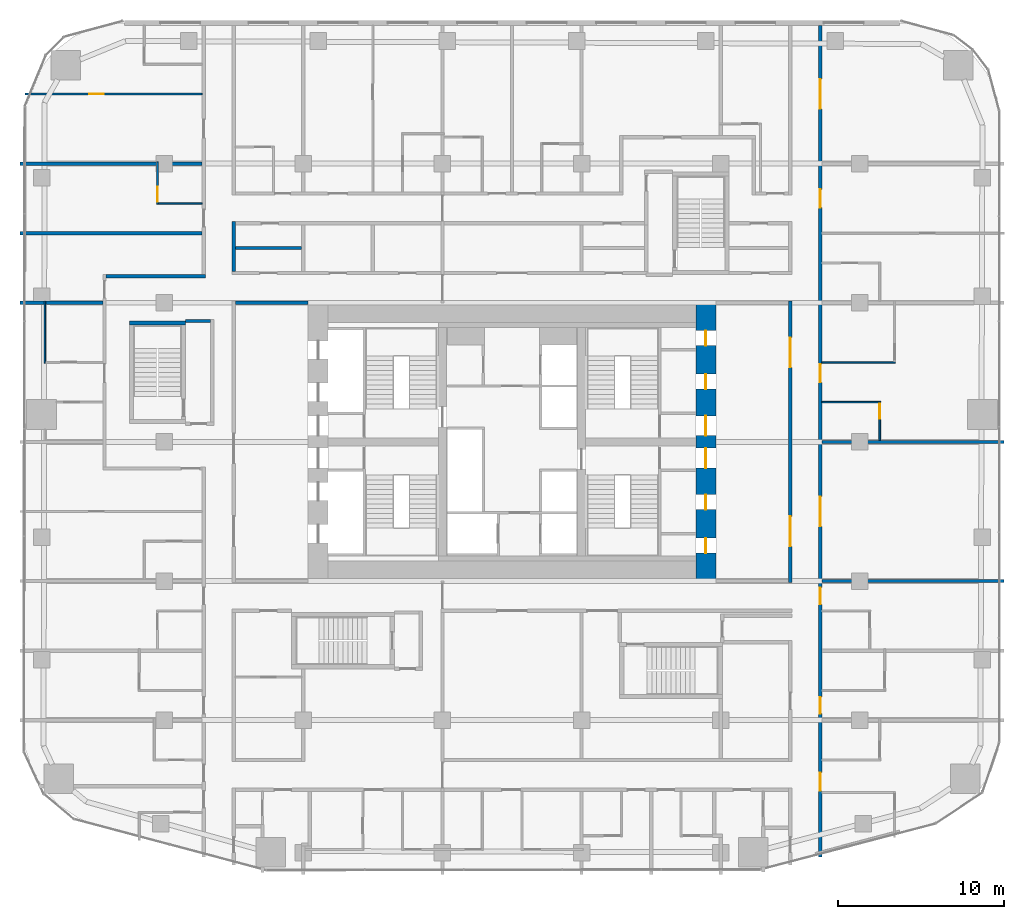
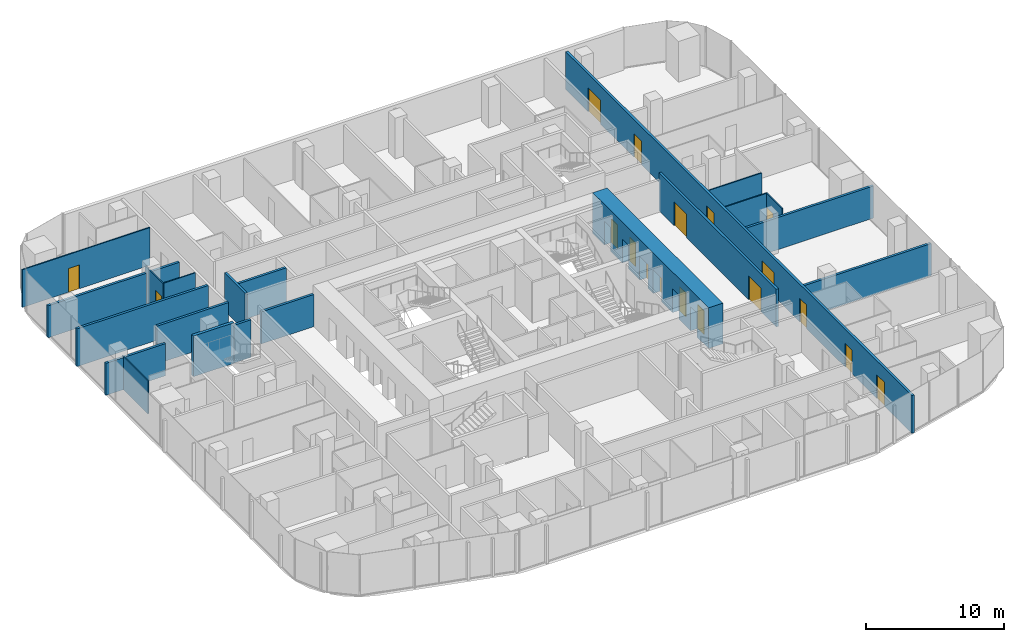
# One storey, part 20 of 26: 21 walls, 18 doors, 18 openings.
"""IFC4 building model written with IfcOpenShell, lengths in metres."""

from ifc_helpers import new_model, si_unit, direction, frame, frame_2d, origin, place, context, subcontext, project, spatial, rectangle, extrude, material, layer, layer_set, type_object, element, fill, save


model = new_model("IFC4")

# Units and contexts
model_context = context("Model", 3, precision=1e-05, world=origin(), true_north=direction((0.0, 1.0)))
body_context = subcontext(model_context, "Body", "Model", "MODEL_VIEW")
ifc_project = project(units=[si_unit("LENGTHUNIT", "METRE"), si_unit("AREAUNIT", "SQUARE_METRE"), si_unit("VOLUMEUNIT", "CUBIC_METRE"), si_unit("PLANEANGLEUNIT", "RADIAN"), si_unit("MASSUNIT", "GRAM", prefix="KILO")], contexts=[model_context])

# Site, building, storey
site_placement = place(None, origin())
site = spatial("IfcSite", under=ifc_project, at=site_placement, CompositionType="ELEMENT")
building_placement = place(site_placement, origin())
building = spatial("IfcBuilding", under=site, at=building_placement, Name="Marenta Gate Hotel Tower", CompositionType="ELEMENT")
storey_placement = place(building_placement, frame((0.0, 0.0, 72.5)))
storey = spatial("IfcBuildingStorey", under=building, at=storey_placement, Name="L16", CompositionType="ELEMENT", Elevation=72.5)

# Wall
ifc_material_1 = material(Name="Concrete blockwork", Category="masonry")
ifc_layer_1 = layer(ifc_material_1, 0.199951171875)
ifc_layer_set_1 = layer_set([ifc_layer_1], Name="Concrete blockwork")
wall_type_1 = type_object("IfcWallType", Name="Core boundary wall 200 REI 180", PredefinedType="PARTITIONING", material=ifc_layer_set_1)
wall_1_placement = place(storey_placement, frame((-16.699951171875, 16.800048828125, 0.0), z_axis=(0.0, 0.0, 1.0), x_axis=(1.0, 0.0, 0.0)))
element("IfcWall", 1, at=wall_1_placement, inside=storey, type_object=wall_type_1, Name="L16-CP-EW-WN", PredefinedType="PARTITIONING", context=body_context, shape_type="SweptSolid", body=[
    extrude(rectangle(XDim=4.39990234375, YDim=0.199951171875, at=frame_2d((2.199951171875, 0.0))), origin(), (0.0, 0.0, 1.0), 2.840087890625),
])

# Wall, openings, doors
wall_2_placement = place(storey_placement, frame((16.800048828125, -0.10009765625, 0.0), z_axis=(0.0, 0.0, 1.0), x_axis=(0.0, 1.0, 0.0)))
wall_2 = element("IfcWall", 2, at=wall_2_placement, inside=storey, type_object=wall_type_1, Name="L16-CP-BW-E", PredefinedType="PARTITIONING", context=body_context, shape_type="SweptSolid", body=[
    extrude(rectangle(XDim=17.0, YDim=0.199951171875, at=frame_2d((8.5, 0.0))), origin(), (0.0, 0.0, 1.0), 3.340087890625),
])
opening_1_placement = place(wall_2_placement, frame((2.199951171875, 0.0, 0.0)))
opening_1 = element("IfcOpeningElement", 3, at=opening_1_placement, cuts=wall_2, Name="Opening ED-Ea-B", PredefinedType="OPENING", context=body_context, shape_type="SweptSolid", body=[
    extrude(rectangle(XDim=1.800048828125, YDim=2.10009765625, at=frame_2d((0.89990234375, 1.050048828125))), frame((0.0, 0.10009765625, 0.0), z_axis=(0.0, -1.0, 0.0), x_axis=(1.0, 0.0, 0.0)), (0.0, 0.0, 1.0), 0.199951171875),
])
opening_2_placement = place(wall_2_placement, frame((13.0, 0.0, 0.0)))
opening_2 = element("IfcOpeningElement", 4, at=opening_2_placement, cuts=wall_2, Name="Opening ED-Eb-B", PredefinedType="OPENING", context=body_context, shape_type="SweptSolid", body=[
    extrude(rectangle(XDim=1.800048828125, YDim=2.10009765625, at=frame_2d((0.89990234375, 1.050048828125))), frame((0.0, 0.10009765625, 0.0), z_axis=(0.0, -1.0, 0.0), x_axis=(1.0, 0.0, 0.0)), (0.0, 0.0, 1.0), 0.199951171875),
])
ifc_material_2 = material(Name="Steel", Category="steel")
door_type_1 = type_object("IfcDoorType", Name="Core lobby entrance door 1800x2100 EI 60", OperationType="DOUBLE_DOOR_SINGLE_SWING", PredefinedType="DOOR", material=ifc_material_2)
door_1_placement = place(opening_1_placement, origin())
door_1 = element("IfcDoor", 5, at=door_1_placement, inside=storey, type_object=door_type_1, Name="ED-Ea-B", OperationType="DOUBLE_DOOR_SINGLE_SWING", OverallHeight=2.10009765625, OverallWidth=1.800048828125, PredefinedType="DOOR", context=body_context, shape_type="SweptSolid", body=[
    extrude(rectangle(XDim=1.800048828125, YDim=2.10009765625, at=frame_2d((0.89990234375, 1.050048828125))), frame((0.0, 0.02490234375, 0.0), z_axis=(0.0, -1.0, 0.0), x_axis=(1.0, 0.0, 0.0)), (0.0, 0.0, 1.0), 0.050048828125),
])
fill(opening_1, door_1)
door_2_placement = place(opening_2_placement, origin())
door_2 = element("IfcDoor", 6, at=door_2_placement, inside=storey, type_object=door_type_1, Name="ED-Eb-B", OperationType="DOUBLE_DOOR_SINGLE_SWING", OverallHeight=2.10009765625, OverallWidth=1.800048828125, PredefinedType="DOOR", context=body_context, shape_type="SweptSolid", body=[
    extrude(rectangle(XDim=1.800048828125, YDim=2.10009765625, at=frame_2d((0.89990234375, 1.050048828125))), frame((0.0, 0.02490234375, 0.0), z_axis=(0.0, -1.0, 0.0), x_axis=(1.0, 0.0, 0.0)), (0.0, 0.0, 1.0), 0.050048828125),
])
fill(opening_2, door_2)

ifc_material_3 = material(Name="Concrete C80", Category="concrete")
ifc_layer_2 = layer(ifc_material_3, 1.199951171875)
ifc_layer_set_2 = layer_set([ifc_layer_2], Name="Concrete C80")
wall_type_2 = type_object("IfcWallType", Name="Core wall 1200 C80", PredefinedType="SHEAR", material=ifc_layer_set_2)
wall_3_placement = place(storey_placement, frame((11.699951171875, 0.0, 0.0), z_axis=(0.0, 0.0, 1.0), x_axis=(0.0, 1.0, 0.0)))
wall_3 = element("IfcWall", 7, at=wall_3_placement, inside=storey, type_object=wall_type_2, Name="L16-CORE-E", PredefinedType="SHEAR", context=body_context, shape_type="SweptSolid", body=[
    extrude(rectangle(XDim=16.800048828125, YDim=1.199951171875, at=frame_2d((8.39990234375, 0.0))), origin(), (0.0, 0.0, 1.0), 3.60009765625),
])
opening_3_placement = place(wall_3_placement, frame((1.6875, 0.0, 0.0)))
opening_3 = element("IfcOpeningElement", 8, at=opening_3_placement, cuts=wall_3, Name="Opening RD-ES-1", PredefinedType="OPENING", context=body_context, shape_type="SweptSolid", body=[
    extrude(rectangle(XDim=0.89990234375, YDim=2.10009765625, at=frame_2d((0.449951171875, 1.050048828125))), frame((0.0, 0.60009765625, 0.0), z_axis=(0.0, -1.0, 0.0), x_axis=(1.0, 0.0, 0.0)), (0.0, 0.0, 1.0), 1.199951171875),
])
opening_4_placement = place(wall_3_placement, frame((4.3125, 0.0, 0.0)))
opening_4 = element("IfcOpeningElement", 9, at=opening_4_placement, cuts=wall_3, Name="Opening RD-ES-2", PredefinedType="OPENING", context=body_context, shape_type="SweptSolid", body=[
    extrude(rectangle(XDim=0.89990234375, YDim=2.10009765625, at=frame_2d((0.449951171875, 1.050048828125))), frame((0.0, 0.60009765625, 0.0), z_axis=(0.0, -1.0, 0.0), x_axis=(1.0, 0.0, 0.0)), (0.0, 0.0, 1.0), 1.199951171875),
])
opening_5_placement = place(wall_3_placement, frame((6.824951171875, 0.0, 0.0)))
opening_5 = element("IfcOpeningElement", 10, at=opening_5_placement, cuts=wall_3, Name="Opening PD-ES", PredefinedType="OPENING", context=body_context, shape_type="SweptSolid", body=[
    extrude(rectangle(XDim=1.199951171875, YDim=2.10009765625, at=frame_2d((0.60009765625, 1.050048828125))), frame((0.0, 0.60009765625, 0.0), z_axis=(0.0, -1.0, 0.0), x_axis=(1.0, 0.0, 0.0)), (0.0, 0.0, 1.0), 1.199951171875),
])
opening_6_placement = place(wall_3_placement, frame((14.21240234375, 0.0, 0.0)))
opening_6 = element("IfcOpeningElement", 11, at=opening_6_placement, cuts=wall_3, Name="Opening RD-EN-1", PredefinedType="OPENING", context=body_context, shape_type="SweptSolid", body=[
    extrude(rectangle(XDim=0.89990234375, YDim=2.10009765625, at=frame_2d((0.449951171875, 1.050048828125))), frame((0.0, 0.60009765625, 0.0), z_axis=(0.0, -1.0, 0.0), x_axis=(1.0, 0.0, 0.0)), (0.0, 0.0, 1.0), 1.199951171875),
])
opening_7_placement = place(wall_3_placement, frame((11.58740234375, 0.0, 0.0)))
opening_7 = element("IfcOpeningElement", 12, at=opening_7_placement, cuts=wall_3, Name="Opening RD-EN-2", PredefinedType="OPENING", context=body_context, shape_type="SweptSolid", body=[
    extrude(rectangle(XDim=0.89990234375, YDim=2.10009765625, at=frame_2d((0.449951171875, 1.050048828125))), frame((0.0, 0.60009765625, 0.0), z_axis=(0.0, -1.0, 0.0), x_axis=(1.0, 0.0, 0.0)), (0.0, 0.0, 1.0), 1.199951171875),
])
opening_8_placement = place(wall_3_placement, frame((8.77490234375, 0.0, 0.0)))
opening_8 = element("IfcOpeningElement", 13, at=opening_8_placement, cuts=wall_3, Name="Opening PD-EN", PredefinedType="OPENING", context=body_context, shape_type="SweptSolid", body=[
    extrude(rectangle(XDim=1.199951171875, YDim=2.10009765625, at=frame_2d((0.60009765625, 1.050048828125))), frame((0.0, 0.60009765625, 0.0), z_axis=(0.0, -1.0, 0.0), x_axis=(1.0, 0.0, 0.0)), (0.0, 0.0, 1.0), 1.199951171875),
])
ifc_material_4 = material(Name="Steel", Category="steel")
door_type_2 = type_object("IfcDoorType", Name="Core lobby door 1200x2100 FD60", OperationType="SINGLE_SWING_LEFT", PredefinedType="DOOR", material=ifc_material_4)
door_3_placement = place(opening_5_placement, origin())
door_3 = element("IfcDoor", 14, at=door_3_placement, inside=storey, type_object=door_type_2, Name="PD-ES", OperationType="SINGLE_SWING_LEFT", OverallHeight=2.10009765625, OverallWidth=1.199951171875, PredefinedType="DOOR", context=body_context, shape_type="SweptSolid", body=[
    extrude(rectangle(XDim=1.199951171875, YDim=2.10009765625, at=frame_2d((0.60009765625, 1.050048828125))), frame((0.0, 0.02490234375, 0.0), z_axis=(0.0, -1.0, 0.0), x_axis=(1.0, 0.0, 0.0)), (0.0, 0.0, 1.0), 0.050048828125),
])
fill(opening_5, door_3)
door_4_placement = place(opening_8_placement, origin())
door_4 = element("IfcDoor", 15, at=door_4_placement, inside=storey, type_object=door_type_2, Name="PD-EN", OperationType="SINGLE_SWING_LEFT", OverallHeight=2.10009765625, OverallWidth=1.199951171875, PredefinedType="DOOR", context=body_context, shape_type="SweptSolid", body=[
    extrude(rectangle(XDim=1.199951171875, YDim=2.10009765625, at=frame_2d((0.60009765625, 1.050048828125))), frame((0.0, 0.02490234375, 0.0), z_axis=(0.0, -1.0, 0.0), x_axis=(1.0, 0.0, 0.0)), (0.0, 0.0, 1.0), 0.050048828125),
])
fill(opening_8, door_4)
ifc_material_5 = material(Name="Steel", Category="steel")
door_type_3 = type_object("IfcDoorType", Name="Core service room door 900x2100 FD30S", OperationType="SINGLE_SWING_LEFT", PredefinedType="DOOR", material=ifc_material_5)
door_5_placement = place(opening_3_placement, origin())
door_5 = element("IfcDoor", 16, at=door_5_placement, inside=storey, type_object=door_type_3, Name="RD-ES-1", OperationType="SINGLE_SWING_LEFT", OverallHeight=2.10009765625, OverallWidth=0.89990234375, PredefinedType="DOOR", context=body_context, shape_type="SweptSolid", body=[
    extrude(rectangle(XDim=0.89990234375, YDim=2.10009765625, at=frame_2d((0.449951171875, 1.050048828125))), frame((0.0, 0.02490234375, 0.0), z_axis=(0.0, -1.0, 0.0), x_axis=(1.0, 0.0, 0.0)), (0.0, 0.0, 1.0), 0.050048828125),
])
fill(opening_3, door_5)
door_6_placement = place(opening_4_placement, origin())
door_6 = element("IfcDoor", 17, at=door_6_placement, inside=storey, type_object=door_type_3, Name="RD-ES-2", OperationType="SINGLE_SWING_LEFT", OverallHeight=2.10009765625, OverallWidth=0.89990234375, PredefinedType="DOOR", context=body_context, shape_type="SweptSolid", body=[
    extrude(rectangle(XDim=0.89990234375, YDim=2.10009765625, at=frame_2d((0.449951171875, 1.050048828125))), frame((0.0, 0.02490234375, 0.0), z_axis=(0.0, -1.0, 0.0), x_axis=(1.0, 0.0, 0.0)), (0.0, 0.0, 1.0), 0.050048828125),
])
fill(opening_4, door_6)
door_7_placement = place(opening_6_placement, origin())
door_7 = element("IfcDoor", 18, at=door_7_placement, inside=storey, type_object=door_type_3, Name="RD-EN-1", OperationType="SINGLE_SWING_LEFT", OverallHeight=2.10009765625, OverallWidth=0.89990234375, PredefinedType="DOOR", context=body_context, shape_type="SweptSolid", body=[
    extrude(rectangle(XDim=0.89990234375, YDim=2.10009765625, at=frame_2d((0.449951171875, 1.050048828125))), frame((0.0, 0.02490234375, 0.0), z_axis=(0.0, -1.0, 0.0), x_axis=(1.0, 0.0, 0.0)), (0.0, 0.0, 1.0), 0.050048828125),
])
fill(opening_6, door_7)
door_8_placement = place(opening_7_placement, origin())
door_8 = element("IfcDoor", 19, at=door_8_placement, inside=storey, type_object=door_type_3, Name="RD-EN-2", OperationType="SINGLE_SWING_LEFT", OverallHeight=2.10009765625, OverallWidth=0.89990234375, PredefinedType="DOOR", context=body_context, shape_type="SweptSolid", body=[
    extrude(rectangle(XDim=0.89990234375, YDim=2.10009765625, at=frame_2d((0.449951171875, 1.050048828125))), frame((0.0, 0.02490234375, 0.0), z_axis=(0.0, -1.0, 0.0), x_axis=(1.0, 0.0, 0.0)), (0.0, 0.0, 1.0), 0.050048828125),
])
fill(opening_7, door_8)

# Wall
ifc_material_6 = material(Name="Concrete C40", Category="concrete")
ifc_layer_3 = layer(ifc_material_6, 0.25)
ifc_layer_set_3 = layer_set([ifc_layer_3], Name="Concrete C40")
wall_type_3 = type_object("IfcWallType", Name="Remote stair enclosure wall 250 REI 180", PredefinedType="SHEAR", material=ifc_layer_set_3)
wall_4_placement = place(storey_placement, frame((-23.10009765625, 15.574951171875, 0.10009765625), z_axis=(0.0, 0.0, 1.0), x_axis=(1.0, 0.0, 0.0)))
element("IfcWall", 20, at=wall_4_placement, inside=storey, type_object=wall_type_3, Name="L16-RS-Z1-3-W2", PredefinedType="SHEAR", context=body_context, shape_type="SweptSolid", body=[
    extrude(rectangle(XDim=3.400146484375, YDim=0.25, at=frame_2d((1.7001953125, 0.0))), origin(), (0.0, 0.0, 1.0), 3.599853515625),
])

# Wall, openings, doors
ifc_material_7 = material(Name="Gypsum board on steel stud", Category="steel")
ifc_layer_4 = layer(ifc_material_7, 0.199951171875)
ifc_layer_set_4 = layer_set([ifc_layer_4], Name="Gypsum board on steel stud")
wall_type_4 = type_object("IfcWallType", Name="Room corridor wall 200 EI 60", PredefinedType="PARTITIONING", material=ifc_layer_set_4)
wall_5_placement = place(storey_placement, frame((18.60009765625, -16.6650390625, 0.0), z_axis=(0.0, 0.0, 1.0), x_axis=(0.0, 1.0, 0.0)))
wall_5 = element("IfcWall", 21, at=wall_5_placement, inside=storey, type_object=wall_type_4, Name="L16-PTN-W009", PredefinedType="PARTITIONING", context=body_context, shape_type="SweptSolid", body=[
    extrude(rectangle(XDim=50.205078125, YDim=0.199951171875, at=frame_2d((25.1025390625, 0.0))), origin(), (0.0, 0.0, 1.0), 3.340087890625),
])
opening_9_placement = place(wall_5_placement, frame((4.0, 0.0, 0.0)))
opening_9 = element("IfcOpeningElement", 22, at=opening_9_placement, cuts=wall_5, Name="Opening G06-06", PredefinedType="OPENING", context=body_context, shape_type="SweptSolid", body=[
    extrude(rectangle(XDim=1.10009765625, YDim=2.10009765625, at=frame_2d((0.550048828125, 1.050048828125))), frame((0.0, 0.10009765625, 0.0), z_axis=(0.0, -1.0, 0.0), x_axis=(1.0, 0.0, 0.0)), (0.0, 0.0, 1.0), 0.199951171875),
])
opening_10_placement = place(wall_5_placement, frame((8.6650390625, 0.0, 0.0)))
opening_10 = element("IfcOpeningElement", 23, at=opening_10_placement, cuts=wall_5, Name="Opening G06-09", PredefinedType="OPENING", context=body_context, shape_type="SweptSolid", body=[
    extrude(rectangle(XDim=1.0, YDim=2.10009765625, at=frame_2d((0.5, 1.050048828125))), frame((0.0, 0.10009765625, 0.0), z_axis=(0.0, -1.0, 0.0), x_axis=(1.0, 0.0, 0.0)), (0.0, 0.0, 1.0), 0.199951171875),
])
opening_11_placement = place(wall_5_placement, frame((15.264892578125, 0.0, 0.0)))
opening_11 = element("IfcOpeningElement", 24, at=opening_11_placement, cuts=wall_5, Name="Opening G06-11", PredefinedType="OPENING", context=body_context, shape_type="SweptSolid", body=[
    extrude(rectangle(XDim=1.0, YDim=2.10009765625, at=frame_2d((0.5, 1.050048828125))), frame((0.0, 0.10009765625, 0.0), z_axis=(0.0, -1.0, 0.0), x_axis=(1.0, 0.0, 0.0)), (0.0, 0.0, 1.0), 0.199951171875),
])
opening_12_placement = place(wall_5_placement, frame((19.965087890625, 0.0, 0.0)))
opening_12 = element("IfcOpeningElement", 25, at=opening_12_placement, cuts=wall_5, Name="Opening G06-13", PredefinedType="OPENING", context=body_context, shape_type="SweptSolid", body=[
    extrude(rectangle(XDim=1.800048828125, YDim=2.10009765625, at=frame_2d((0.89990234375, 1.050048828125))), frame((0.0, 0.10009765625, 0.0), z_axis=(0.0, -1.0, 0.0), x_axis=(1.0, 0.0, 0.0)), (0.0, 0.0, 1.0), 0.199951171875),
])
opening_13_placement = place(wall_5_placement, frame((28.6650390625, 0.0, 0.0)))
opening_13 = element("IfcOpeningElement", 26, at=opening_13_placement, cuts=wall_5, Name="Opening G06-14", PredefinedType="OPENING", context=body_context, shape_type="SweptSolid", body=[
    extrude(rectangle(XDim=1.10009765625, YDim=2.10009765625, at=frame_2d((0.550048828125, 1.050048828125))), frame((0.0, 0.10009765625, 0.0), z_axis=(0.0, -1.0, 0.0), x_axis=(1.0, 0.0, 0.0)), (0.0, 0.0, 1.0), 0.199951171875),
])
opening_14_placement = place(wall_5_placement, frame((39.215087890625, 0.0, 0.0)))
opening_14 = element("IfcOpeningElement", 27, at=opening_14_placement, cuts=wall_5, Name="Opening G06-17", PredefinedType="OPENING", context=body_context, shape_type="SweptSolid", body=[
    extrude(rectangle(XDim=1.10009765625, YDim=2.10009765625, at=frame_2d((0.550048828125, 1.050048828125))), frame((0.0, 0.10009765625, 0.0), z_axis=(0.0, -1.0, 0.0), x_axis=(1.0, 0.0, 0.0)), (0.0, 0.0, 1.0), 0.199951171875),
])
opening_15_placement = place(wall_5_placement, frame((45.1650390625, 0.0, 0.0)))
opening_15 = element("IfcOpeningElement", 28, at=opening_15_placement, cuts=wall_5, Name="Opening G06-20", PredefinedType="OPENING", context=body_context, shape_type="SweptSolid", body=[
    extrude(rectangle(XDim=1.800048828125, YDim=2.10009765625, at=frame_2d((0.89990234375, 1.050048828125))), frame((0.0, 0.10009765625, 0.0), z_axis=(0.0, -1.0, 0.0), x_axis=(1.0, 0.0, 0.0)), (0.0, 0.0, 1.0), 0.199951171875),
])
ifc_material_8 = material(Name="Timber door leaf", Category="wood")
door_type_4 = type_object("IfcDoorType", Name="Guest room door 1000x2100 EI 30", OperationType="NOTDEFINED", PredefinedType="DOOR", material=ifc_material_8)
door_9_placement = place(opening_10_placement, origin())
door_9 = element("IfcDoor", 29, at=door_9_placement, inside=storey, type_object=door_type_4, Name="L16-PD-D009", OperationType="SINGLE_SWING_LEFT", OverallHeight=2.10009765625, OverallWidth=1.0, PredefinedType="DOOR", context=body_context, shape_type="SweptSolid", body=[
    extrude(rectangle(XDim=1.0, YDim=2.10009765625, at=frame_2d((0.5, 1.050048828125))), frame((0.0, 0.02490234375, 0.0), z_axis=(0.0, -1.0, 0.0), x_axis=(1.0, 0.0, 0.0)), (0.0, 0.0, 1.0), 0.050048828125),
])
fill(opening_10, door_9)
door_10_placement = place(opening_11_placement, origin())
door_10 = element("IfcDoor", 30, at=door_10_placement, inside=storey, type_object=door_type_4, Name="L16-PD-D011", OperationType="SINGLE_SWING_LEFT", OverallHeight=2.10009765625, OverallWidth=1.0, PredefinedType="DOOR", context=body_context, shape_type="SweptSolid", body=[
    extrude(rectangle(XDim=1.0, YDim=2.10009765625, at=frame_2d((0.5, 1.050048828125))), frame((0.0, 0.02490234375, 0.0), z_axis=(0.0, -1.0, 0.0), x_axis=(1.0, 0.0, 0.0)), (0.0, 0.0, 1.0), 0.050048828125),
])
fill(opening_11, door_10)
ifc_material_9 = material(Name="Timber door leaf", Category="wood")
door_type_5 = type_object("IfcDoorType", Name="Guest room door 1100x2100 EI 30", OperationType="NOTDEFINED", PredefinedType="DOOR", material=ifc_material_9)
door_11_placement = place(opening_9_placement, origin())
door_11 = element("IfcDoor", 31, at=door_11_placement, inside=storey, type_object=door_type_5, Name="L16-PD-D006", OperationType="SINGLE_SWING_RIGHT", OverallHeight=2.10009765625, OverallWidth=1.10009765625, PredefinedType="DOOR", context=body_context, shape_type="SweptSolid", body=[
    extrude(rectangle(XDim=1.10009765625, YDim=2.10009765625, at=frame_2d((0.550048828125, 1.050048828125))), frame((0.0, 0.02490234375, 0.0), z_axis=(0.0, -1.0, 0.0), x_axis=(1.0, 0.0, 0.0)), (0.0, 0.0, 1.0), 0.050048828125),
])
fill(opening_9, door_11)
door_12_placement = place(opening_13_placement, origin())
door_12 = element("IfcDoor", 32, at=door_12_placement, inside=storey, type_object=door_type_5, Name="L16-PD-D014", OperationType="SINGLE_SWING_LEFT", OverallHeight=2.10009765625, OverallWidth=1.10009765625, PredefinedType="DOOR", context=body_context, shape_type="SweptSolid", body=[
    extrude(rectangle(XDim=1.10009765625, YDim=2.10009765625, at=frame_2d((0.550048828125, 1.050048828125))), frame((0.0, 0.02490234375, 0.0), z_axis=(0.0, -1.0, 0.0), x_axis=(1.0, 0.0, 0.0)), (0.0, 0.0, 1.0), 0.050048828125),
])
fill(opening_13, door_12)
door_13_placement = place(opening_14_placement, origin())
door_13 = element("IfcDoor", 33, at=door_13_placement, inside=storey, type_object=door_type_5, Name="L16-PD-D017", OperationType="SINGLE_SWING_LEFT", OverallHeight=2.10009765625, OverallWidth=1.10009765625, PredefinedType="DOOR", context=body_context, shape_type="SweptSolid", body=[
    extrude(rectangle(XDim=1.10009765625, YDim=2.10009765625, at=frame_2d((0.550048828125, 1.050048828125))), frame((0.0, 0.02490234375, 0.0), z_axis=(0.0, -1.0, 0.0), x_axis=(1.0, 0.0, 0.0)), (0.0, 0.0, 1.0), 0.050048828125),
])
fill(opening_14, door_13)
ifc_material_10 = material(Name="Timber door leaf", Category="wood")
door_type_6 = type_object("IfcDoorType", Name="Room amenity door 1800x2100 EI 30", OperationType="DOUBLE_DOOR_SINGLE_SWING", PredefinedType="DOOR", material=ifc_material_10)
door_14_placement = place(opening_12_placement, origin())
door_14 = element("IfcDoor", 34, at=door_14_placement, inside=storey, type_object=door_type_6, Name="L16-PD-D013", OperationType="DOUBLE_DOOR_SINGLE_SWING", OverallHeight=2.10009765625, OverallWidth=1.800048828125, PredefinedType="DOOR", context=body_context, shape_type="SweptSolid", body=[
    extrude(rectangle(XDim=1.800048828125, YDim=2.10009765625, at=frame_2d((0.89990234375, 1.050048828125))), frame((0.0, 0.02490234375, 0.0), z_axis=(0.0, -1.0, 0.0), x_axis=(1.0, 0.0, 0.0)), (0.0, 0.0, 1.0), 0.050048828125),
])
fill(opening_12, door_14)
door_15_placement = place(opening_15_placement, origin())
door_15 = element("IfcDoor", 35, at=door_15_placement, inside=storey, type_object=door_type_6, Name="L16-PD-D020", OperationType="DOUBLE_DOOR_SINGLE_SWING", OverallHeight=2.10009765625, OverallWidth=1.800048828125, PredefinedType="DOOR", context=body_context, shape_type="SweptSolid", body=[
    extrude(rectangle(XDim=1.800048828125, YDim=2.10009765625, at=frame_2d((0.89990234375, 1.050048828125))), frame((0.0, 0.02490234375, 0.0), z_axis=(0.0, -1.0, 0.0), x_axis=(1.0, 0.0, 0.0)), (0.0, 0.0, 1.0), 0.050048828125),
])
fill(opening_15, door_15)

# Walls
wall_6_placement = place(storey_placement, frame((-16.800048828125, 18.699951171875, 0.0), z_axis=(0.0, 0.0, 1.0), x_axis=(0.0, 1.0, 0.0)))
element("IfcWall", 36, at=wall_6_placement, inside=storey, type_object=wall_type_4, Name="L16-PTN-W105", PredefinedType="PARTITIONING", context=body_context, shape_type="SweptSolid", body=[
    extrude(rectangle(XDim=3.0, YDim=0.199951171875, at=frame_2d((1.5, 0.0))), origin(), (0.0, 0.0, 1.0), 3.340087890625),
])
wall_7_placement = place(storey_placement, frame((-24.5, 18.39990234375, 0.0), z_axis=(0.0, 0.0, 1.0), x_axis=(1.0, 0.0, 0.0)))
element("IfcWall", 37, at=wall_7_placement, inside=storey, type_object=wall_type_4, Name="L16-PTN-W110", PredefinedType="PARTITIONING", context=body_context, shape_type="SweptSolid", body=[
    extrude(rectangle(XDim=6.0, YDim=0.199951171875, at=frame_2d((3.0, 0.0))), origin(), (0.0, 0.0, 1.0), 3.340087890625),
])
ifc_material_11 = material(Name="Concrete blockwork", Category="masonry")
ifc_layer_5 = layer(ifc_material_11, 0.199951171875)
ifc_layer_set_5 = layer_set([ifc_layer_5], Name="Concrete blockwork")
wall_type_5 = type_object("IfcWallType", Name="Room corridor wall 200 REI 180", PredefinedType="PARTITIONING", material=ifc_layer_set_5)
wall_8_placement = place(storey_placement, frame((-19.699951171875, 15.699951171875, 0.0), z_axis=(0.0, 0.0, 1.0), x_axis=(1.0, 0.0, 0.0)))
element("IfcWall", 38, at=wall_8_placement, inside=storey, type_object=wall_type_5, Name="L16-PTN-W102", PredefinedType="PARTITIONING", context=body_context, shape_type="SweptSolid", body=[
    extrude(rectangle(XDim=1.5, YDim=0.199951171875, at=frame_2d((0.75, 0.0))), origin(), (0.0, 0.0, 1.0), 3.340087890625),
])

# Wall, opening, door
ifc_material_12 = material(Name="Gypsum board on steel stud", Category="steel")
ifc_layer_6 = layer(ifc_material_12, 0.10009765625)
ifc_layer_set_6 = layer_set([ifc_layer_6], Name="Gypsum board on steel stud")
wall_type_6 = type_object("IfcWallType", Name="Room partition 100", PredefinedType="PARTITIONING", material=ifc_layer_set_6)
wall_9_placement = place(storey_placement, frame((22.199951171875, 8.5, 0.0), z_axis=(0.0, 0.0, 1.0), x_axis=(0.0, 1.0, 0.0)))
wall_9 = element("IfcWall", 39, at=wall_9_placement, inside=storey, type_object=wall_type_6, Name="L16-PTN-W005", PredefinedType="PARTITIONING", context=body_context, shape_type="SweptSolid", body=[
    extrude(rectangle(XDim=2.35009765625, YDim=0.10009765625, at=frame_2d((1.175048828125, 0.0))), origin(), (0.0, 0.0, 1.0), 3.340087890625),
])
opening_16_placement = place(wall_9_placement, frame((1.300048828125, 0.0, 0.0)))
opening_16 = element("IfcOpeningElement", 40, at=opening_16_placement, cuts=wall_9, Name="Opening G06-16", PredefinedType="OPENING", context=body_context, shape_type="SweptSolid", body=[
    extrude(rectangle(XDim=0.89990234375, YDim=2.10009765625, at=frame_2d((0.449951171875, 1.050048828125))), frame((0.0, 0.050048828125, 0.0), z_axis=(0.0, -1.0, 0.0), x_axis=(1.0, 0.0, 0.0)), (0.0, 0.0, 1.0), 0.10009765625),
])
ifc_material_13 = material(Name="Timber door leaf", Category="wood")
door_type_7 = type_object("IfcDoorType", Name="Room inner door 900x2100", OperationType="NOTDEFINED", PredefinedType="DOOR", material=ifc_material_13)
door_16_placement = place(opening_16_placement, origin())
door_16 = element("IfcDoor", 41, at=door_16_placement, inside=storey, type_object=door_type_7, Name="L16-PD-D016", OperationType="SINGLE_SWING_RIGHT", OverallHeight=2.10009765625, OverallWidth=0.89990234375, PredefinedType="DOOR", context=body_context, shape_type="SweptSolid", body=[
    extrude(rectangle(XDim=0.89990234375, YDim=2.10009765625, at=frame_2d((0.449951171875, 1.050048828125))), frame((0.0, 0.02490234375, 0.0), z_axis=(0.0, -1.0, 0.0), x_axis=(1.0, 0.0, 0.0)), (0.0, 0.0, 1.0), 0.050048828125),
])
fill(opening_16, door_16)

# Walls
wall_10_placement = place(storey_placement, frame((18.699951171875, 10.800048828125, 0.0), z_axis=(0.0, 0.0, 1.0), x_axis=(1.0, 0.0, 0.0)))
element("IfcWall", 42, at=wall_10_placement, inside=storey, type_object=wall_type_6, Name="L16-PTN-W091", PredefinedType="PARTITIONING", context=body_context, shape_type="SweptSolid", body=[
    extrude(rectangle(XDim=3.449951171875, YDim=0.10009765625, at=frame_2d((1.72509765625, 0.0))), origin(), (0.0, 0.0, 1.0), 3.340087890625),
])
wall_11_placement = place(storey_placement, frame((18.699951171875, 13.199951171875, 0.0), z_axis=(0.0, 0.0, 1.0), x_axis=(1.0, 0.0, 0.0)))
element("IfcWall", 43, at=wall_11_placement, inside=storey, type_object=wall_type_6, Name="L16-PTN-W098", PredefinedType="PARTITIONING", context=body_context, shape_type="SweptSolid", body=[
    extrude(rectangle(XDim=4.449951171875, YDim=0.10009765625, at=frame_2d((2.22509765625, 0.0))), origin(), (0.0, 0.0, 1.0), 3.340087890625),
])

# Wall, opening, door
wall_12_placement = place(storey_placement, frame((-21.39990234375, 22.75, 0.0), z_axis=(0.0, 0.0, 1.0), x_axis=(0.0, 1.0, 0.0)))
wall_12 = element("IfcWall", 44, at=wall_12_placement, inside=storey, type_object=wall_type_6, Name="L16-PTN-W123", PredefinedType="PARTITIONING", context=body_context, shape_type="SweptSolid", body=[
    extrude(rectangle(XDim=2.550048828125, YDim=0.10009765625, at=frame_2d((1.27490234375, 0.0))), origin(), (0.0, 0.0, 1.0), 3.340087890625),
])
opening_17_placement = place(wall_12_placement, frame((0.14990234375, 0.0, 0.0)))
opening_17 = element("IfcOpeningElement", 45, at=opening_17_placement, cuts=wall_12, Name="Opening G06-57", PredefinedType="OPENING", context=body_context, shape_type="SweptSolid", body=[
    extrude(rectangle(XDim=0.89990234375, YDim=2.10009765625, at=frame_2d((0.449951171875, 1.050048828125))), frame((0.0, 0.050048828125, 0.0), z_axis=(0.0, -1.0, 0.0), x_axis=(1.0, 0.0, 0.0)), (0.0, 0.0, 1.0), 0.10009765625),
])
ifc_material_14 = material(Name="Timber door leaf", Category="wood")
door_type_8 = type_object("IfcDoorType", Name="Guest bathroom door 900x2100", OperationType="NOTDEFINED", PredefinedType="DOOR", material=ifc_material_14)
door_17_placement = place(opening_17_placement, origin())
door_17 = element("IfcDoor", 46, at=door_17_placement, inside=storey, type_object=door_type_8, Name="L16-PD-D057", OperationType="SINGLE_SWING_RIGHT", OverallHeight=2.10009765625, OverallWidth=0.89990234375, PredefinedType="DOOR", context=body_context, shape_type="SweptSolid", body=[
    extrude(rectangle(XDim=0.89990234375, YDim=2.10009765625, at=frame_2d((0.449951171875, 1.050048828125))), frame((0.0, 0.02490234375, 0.0), z_axis=(0.0, -1.0, 0.0), x_axis=(1.0, 0.0, 0.0)), (0.0, 0.0, 1.0), 0.050048828125),
])
fill(opening_17, door_17)

# Walls
wall_13_placement = place(storey_placement, frame((-21.35009765625, 22.800048828125, 0.0), z_axis=(0.0, 0.0, 1.0), x_axis=(1.0, 0.0, 0.0)))
element("IfcWall", 47, at=wall_13_placement, inside=storey, type_object=wall_type_6, Name="L16-PTN-W131", PredefinedType="PARTITIONING", context=body_context, shape_type="SweptSolid", body=[
    extrude(rectangle(XDim=2.650146484375, YDim=0.10009765625, at=frame_2d((1.3251953125, 0.0))), origin(), (0.0, 0.0, 1.0), 3.340087890625),
])
wall_14_placement = place(storey_placement, frame((-28.199951171875, 13.14990234375, 0.0), z_axis=(0.0, 0.0, 1.0), x_axis=(0.0, 1.0, 0.0)))
element("IfcWall", 48, at=wall_14_placement, inside=storey, type_object=wall_type_6, Name="L16-PTN-W145", PredefinedType="PARTITIONING", context=body_context, shape_type="SweptSolid", body=[
    extrude(rectangle(XDim=3.75, YDim=0.10009765625, at=frame_2d((1.875, 0.0))), origin(), (0.0, 0.0, 1.0), 2.93994140625),
])

# Wall, opening, door
wall_15_placement = place(storey_placement, frame((-29.39306640625, 29.39990234375, 0.0), z_axis=(0.0, 0.0, 1.0), x_axis=(1.0, 0.0, 0.0)))
wall_15 = element("IfcWall", 49, at=wall_15_placement, inside=storey, type_object=wall_type_6, Name="L16-PTN-W146", PredefinedType="PARTITIONING", context=body_context, shape_type="SweptSolid", body=[
    extrude(rectangle(XDim=10.693115234375, YDim=0.10009765625, at=frame_2d((5.3466796875, 0.0))), origin(), (0.0, 0.0, 1.0), 3.340087890625),
])
opening_18_placement = place(wall_15_placement, frame((3.863037109375, 0.0, 0.0)))
opening_18 = element("IfcOpeningElement", 50, at=opening_18_placement, cuts=wall_15, Name="Opening G06-59", PredefinedType="OPENING", context=body_context, shape_type="SweptSolid", body=[
    extrude(rectangle(XDim=0.89990234375, YDim=2.10009765625, at=frame_2d((0.449951171875, 1.050048828125))), frame((0.0, 0.050048828125, 0.0), z_axis=(0.0, -1.0, 0.0), x_axis=(1.0, 0.0, 0.0)), (0.0, 0.0, 1.0), 0.10009765625),
])
door_18_placement = place(opening_18_placement, origin())
door_18 = element("IfcDoor", 51, at=door_18_placement, inside=storey, type_object=door_type_7, Name="L16-PD-D059", OperationType="SINGLE_SWING_LEFT", OverallHeight=2.10009765625, OverallWidth=0.89990234375, PredefinedType="DOOR", context=body_context, shape_type="SweptSolid", body=[
    extrude(rectangle(XDim=0.89990234375, YDim=2.10009765625, at=frame_2d((0.449951171875, 1.050048828125))), frame((0.0, 0.02490234375, 0.0), z_axis=(0.0, -1.0, 0.0), x_axis=(1.0, 0.0, 0.0)), (0.0, 0.0, 1.0), 0.050048828125),
])
fill(opening_18, door_18)

# Walls
ifc_material_15 = material(Name="Gypsum board on steel stud", Category="steel")
ifc_layer_7 = layer(ifc_material_15, 0.199951171875)
ifc_layer_set_7 = layer_set([ifc_layer_7], Name="Gypsum board on steel stud")
wall_type_7 = type_object("IfcWallType", Name="Room party wall 200 EI 60", PredefinedType="PARTITIONING", material=ifc_layer_set_7)
for number, where, z_axis, x_axis, name in (
    (52, (18.699951171875, 0.0, 0.0), (0.0, 0.0, 1.0), (1.0, 0.0, 0.0), "L16-PTN-W071"),
    (53, (18.699951171875, 8.39990234375, 0.0), (0.0, 0.0, 1.0), (1.0, 0.0, 0.0), "L16-PTN-W087"),
):
    element("IfcWall", number, at=place(storey_placement, frame(where, z_axis=z_axis, x_axis=x_axis)), inside=storey, type_object=wall_type_7, Name=name, PredefinedType="PARTITIONING", context=body_context, shape_type="SweptSolid", body=[
        extrude(rectangle(XDim=11.0, YDim=0.199951171875, at=frame_2d((5.5, 0.0))), origin(), (0.0, 0.0, 1.0), 2.840087890625),
    ])
wall_16_placement = place(storey_placement, frame((-29.699951171875, 16.800048828125, 0.0), z_axis=(0.0, 0.0, 1.0), x_axis=(1.0, 0.0, 0.0)))
element("IfcWall", 54, at=wall_16_placement, inside=storey, type_object=wall_type_7, Name="L16-PTN-W107", PredefinedType="PARTITIONING", context=body_context, shape_type="SweptSolid", body=[
    extrude(rectangle(XDim=5.0, YDim=0.199951171875, at=frame_2d((2.5, 0.0))), origin(), (0.0, 0.0, 1.0), 2.840087890625),
])
wall_17_placement = place(storey_placement, frame((-16.699951171875, 20.10009765625, 0.0), z_axis=(0.0, 0.0, 1.0), x_axis=(1.0, 0.0, 0.0)))
element("IfcWall", 55, at=wall_17_placement, inside=storey, type_object=wall_type_7, Name="L16-PTN-W117", PredefinedType="PARTITIONING", context=body_context, shape_type="SweptSolid", body=[
    extrude(rectangle(XDim=4.0, YDim=0.199951171875, at=frame_2d((2.0, 0.0))), origin(), (0.0, 0.0, 1.0), 3.340087890625),
])
wall_18_placement = place(storey_placement, frame((-29.699951171875, 21.0, 0.0), z_axis=(0.0, 0.0, 1.0), x_axis=(1.0, 0.0, 0.0)))
element("IfcWall", 56, at=wall_18_placement, inside=storey, type_object=wall_type_7, Name="L16-PTN-W120", PredefinedType="PARTITIONING", context=body_context, shape_type="SweptSolid", body=[
    extrude(rectangle(XDim=11.0, YDim=0.199951171875, at=frame_2d((5.5, 0.0))), origin(), (0.0, 0.0, 1.0), 3.340087890625),
])
wall_19_placement = place(storey_placement, frame((-29.699951171875, 25.199951171875, 0.0), z_axis=(0.0, 0.0, 1.0), x_axis=(1.0, 0.0, 0.0)))
element("IfcWall", 57, at=wall_19_placement, inside=storey, type_object=wall_type_7, Name="L16-PTN-W136", PredefinedType="PARTITIONING", context=body_context, shape_type="SweptSolid", body=[
    extrude(rectangle(XDim=11.0, YDim=0.199951171875, at=frame_2d((5.5, 0.0))), origin(), (0.0, 0.0, 1.0), 2.840087890625),
])

save(model, "model.ifc")
